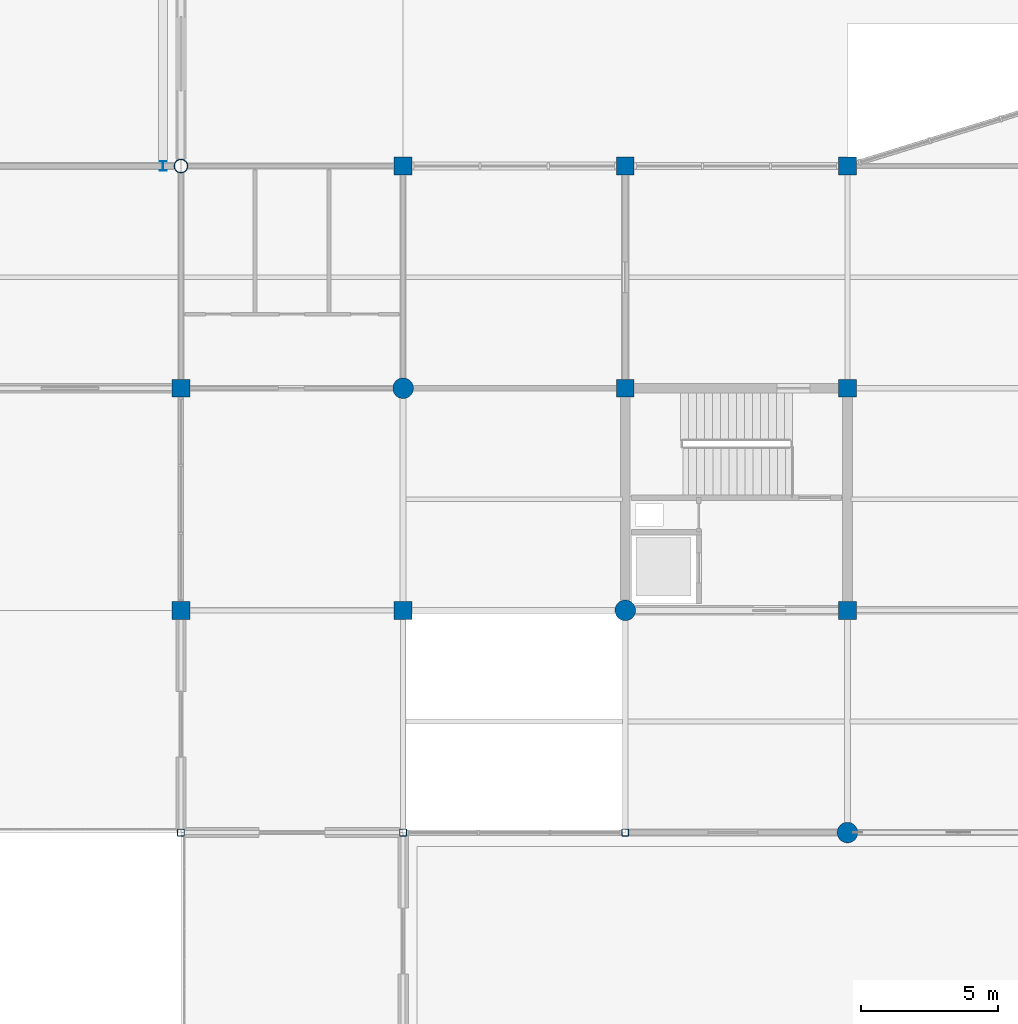
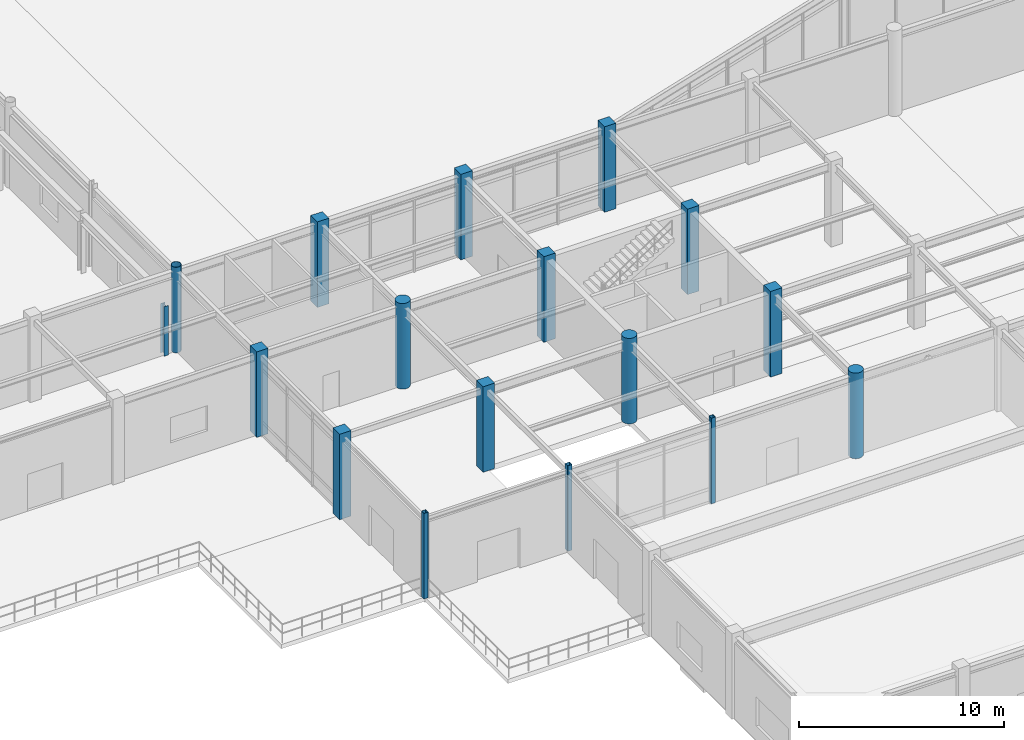
# One storey, part 3 of 99: 17 columns.
"""IFC4 building model written with IfcOpenShell, lengths in metres."""

from ifc_helpers import new_model, si_unit, direction, frame, origin, origin_2d, place, context, subcontext, project, spatial, rectangle, hollow_rectangle, circle, hollow_circle, i_section, extrude, material, material_profile, profile_set, type_object, element, save


model = new_model("IFC4")

# Units and contexts
model_context = context("Model", 3, precision=1e-05, world=origin(), true_north=direction((0.0, 1.0)))
body_context = subcontext(model_context, "Body", "Model", "MODEL_VIEW")
ifc_project = project(units=[si_unit("LENGTHUNIT", "METRE"), si_unit("AREAUNIT", "SQUARE_METRE"), si_unit("VOLUMEUNIT", "CUBIC_METRE"), si_unit("PLANEANGLEUNIT", "RADIAN"), si_unit("MASSUNIT", "GRAM", prefix="KILO")], contexts=[model_context])

# Site, building, storey
site_placement = place(None, origin())
site = spatial("IfcSite", under=ifc_project, at=site_placement, CompositionType="ELEMENT")
building_placement = place(site_placement, origin())
building = spatial("IfcBuilding", under=site, at=building_placement, Name="Vaudrelin Polytechnic", CompositionType="ELEMENT")
storey_placement = place(building_placement, origin())
storey = spatial("IfcBuildingStorey", under=building, at=storey_placement, Name="L00", CompositionType="ELEMENT", Elevation=0.0)

# Columns
ifc_material_1 = material(Name="Steel CSA G40.21 350W", Category="steel")
ifc_material_profile_1 = material_profile(ifc_material_1, hollow_rectangle(XDim=0.25390625, YDim=0.25390625, WallThickness=0.0126953125, InnerFilletRadius=0.0126953125, OuterFilletRadius=0.025390625, at=origin_2d()), Name="HSS254x254x12.7")
ifc_profile_set_1 = profile_set([ifc_material_profile_1], Name="Steel CSA G40.21 350W")
column_type_1 = type_object("IfcColumnType", Name="COL-C-HSS254", PredefinedType="COLUMN", material=ifc_profile_set_1)
for number, where, z_axis, x_axis, name in (
    (1, (32.39990234375, 24.300048828125, 0.0), (0.0, 0.0, 1.0), (1.0, 0.0, 0.0), "Column L00 5-4"),
    (2, (40.5, 24.300048828125, 0.0), (0.0, 0.0, 1.0), (1.0, 0.0, 0.0), "Column L00 6-4"),
    (3, (48.60009765625, 24.300048828125, 0.0), (0.0, 0.0, 1.0), (1.0, 0.0, 0.0), "Column L00 7-4"),
):
    element("IfcColumn", number, at=place(storey_placement, frame(where, z_axis=z_axis, x_axis=x_axis)), inside=storey, type_object=column_type_1, Name=name, PredefinedType="COLUMN", context=body_context, shape_type="SweptSolid", body=[
        extrude(hollow_rectangle(XDim=0.25390625, YDim=0.25390625, WallThickness=0.0126953125, InnerFilletRadius=0.0126953125, OuterFilletRadius=0.025390625, at=origin_2d()), origin(), (0.0, 0.0, 1.0), 5.10009765625),
    ])
ifc_material_2 = material(Name="Concrete 40 MPa", Category="concrete")
ifc_material_profile_2 = material_profile(ifc_material_2, rectangle(XDim=0.64990234375, YDim=0.64990234375, at=origin_2d()), Name="RC650x650")
ifc_profile_set_2 = profile_set([ifc_material_profile_2], Name="Concrete 40 MPa")
column_type_2 = type_object("IfcColumnType", Name="COL-C-RC650", PredefinedType="COLUMN", material=ifc_profile_set_2)
for number, where, z_axis, x_axis, name in (
    (4, (32.39990234375, 32.39990234375, 0.0), (0.0, 0.0, 1.0), (1.0, 0.0, 0.0), "Column L00 5-5"),
    (5, (32.39990234375, 40.5, 0.0), (0.0, 0.0, 1.0), (1.0, 0.0, 0.0), "Column L00 5-6"),
    (6, (40.5, 32.39990234375, 0.0), (0.0, 0.0, 1.0), (1.0, 0.0, 0.0), "Column L00 6-5"),
    (7, (40.5, 48.60009765625, 0.0), (0.0, 0.0, 1.0), (1.0, 0.0, 0.0), "Column L00 6-7"),
    (8, (48.60009765625, 40.5, 0.0), (0.0, 0.0, 1.0), (1.0, 0.0, 0.0), "Column L00 7-6"),
    (9, (48.60009765625, 48.60009765625, 0.0), (0.0, 0.0, 1.0), (1.0, 0.0, 0.0), "Column L00 7-7"),
    (10, (56.699951171875, 32.39990234375, 0.0), (0.0, 0.0, 1.0), (1.0, 0.0, 0.0), "Column L00 8-5"),
    (11, (56.699951171875, 40.5, 0.0), (0.0, 0.0, 1.0), (1.0, 0.0, 0.0), "Column L00 8-6"),
    (12, (56.699951171875, 48.60009765625, 0.0), (0.0, 0.0, 1.0), (1.0, 0.0, 0.0), "Column L00 8-7"),
):
    element("IfcColumn", number, at=place(storey_placement, frame(where, z_axis=z_axis, x_axis=x_axis)), inside=storey, type_object=column_type_2, Name=name, PredefinedType="COLUMN", context=body_context, shape_type="SweptSolid", body=[
        extrude(rectangle(XDim=0.64990234375, YDim=0.64990234375, at=origin_2d()), origin(), (0.0, 0.0, 1.0), 5.10009765625),
    ])
ifc_material_3 = material(Name="Concrete 50 MPa", Category="concrete")
ifc_material_profile_3 = material_profile(ifc_material_3, circle(Radius=0.375, at=origin_2d()), Name="RCCOL750")
ifc_profile_set_3 = profile_set([ifc_material_profile_3], Name="Concrete 50 MPa")
column_type_3 = type_object("IfcColumnType", Name="COL-C-RCD750", PredefinedType="COLUMN", material=ifc_profile_set_3)
for number, where, z_axis, x_axis, name in (
    (13, (40.5, 40.5, 0.0), (0.0, 0.0, 1.0), (1.0, 0.0, 0.0), "Column L00 6-6"),
    (14, (48.60009765625, 32.39990234375, 0.0), (0.0, 0.0, 1.0), (1.0, 0.0, 0.0), "Column L00 7-5"),
    (15, (56.699951171875, 24.300048828125, 0.0), (0.0, 0.0, 1.0), (1.0, 0.0, 0.0), "Column L00 8-4"),
):
    element("IfcColumn", number, at=place(storey_placement, frame(where, z_axis=z_axis, x_axis=x_axis)), inside=storey, type_object=column_type_3, Name=name, PredefinedType="COLUMN", context=body_context, shape_type="SweptSolid", body=[
        extrude(circle(Radius=0.375, at=origin_2d()), origin(), (0.0, 0.0, 1.0), 5.10009765625),
    ])
ifc_material_4 = material(Name="Steel CSA G40.21 350WT", Category="steel")
ifc_material_profile_4 = material_profile(ifc_material_4, hollow_circle(Radius=0.25390625, WallThickness=0.01904296875, at=origin_2d()), Name="CHS508.0x19.1")
ifc_profile_set_4 = profile_set([ifc_material_profile_4], Name="Steel CSA G40.21 350WT")
column_type_4 = type_object("IfcColumnType", Name="COL-C-TR508", PredefinedType="COLUMN", material=ifc_profile_set_4)
column_1_placement = place(storey_placement, frame((32.39990234375, 48.60009765625, 0.0), z_axis=(0.0, 0.0, 1.0), x_axis=(1.0, 0.0, 0.0)))
element("IfcColumn", 16, at=column_1_placement, inside=storey, type_object=column_type_4, Name="Column L00 5-7", PredefinedType="COLUMN", context=body_context, shape_type="SweptSolid", body=[
    extrude(hollow_circle(Radius=0.25390625, WallThickness=0.01904296875, at=origin_2d()), origin(), (0.0, 0.0, 1.0), 5.10009765625),
])
ifc_material_profile_5 = material_profile(ifc_material_1, i_section(OverallWidth=0.25390625, OverallDepth=0.35302734375, WebThickness=0.009521484375, FlangeThickness=0.016357421875, FilletRadius=0.01611328125, at=origin_2d()), Name="W360x91")
ifc_profile_set_5 = profile_set([ifc_material_profile_5], Name="Steel CSA G40.21 350W")
column_type_5 = type_object("IfcColumnType", Name="COL-C-W360", PredefinedType="PILASTER", material=ifc_profile_set_5)
column_2_placement = place(storey_placement, frame((31.75, 48.60009765625, 0.0), z_axis=(0.0, 0.0, 1.0), x_axis=(1.0, 0.0, 0.0)))
element("IfcColumn", 17, at=column_2_placement, inside=storey, type_object=column_type_5, Name="Crane runway support post EAST-6", PredefinedType="PILASTER", context=body_context, shape_type="SweptSolid", body=[
    extrude(i_section(OverallWidth=0.25390625, OverallDepth=0.35302734375, WebThickness=0.009521484375, FlangeThickness=0.016357421875, FilletRadius=0.01611328125, at=origin_2d()), origin(), (0.0, 0.0, 1.0), 2.943115234375),
])

save(model, "model.ifc")
